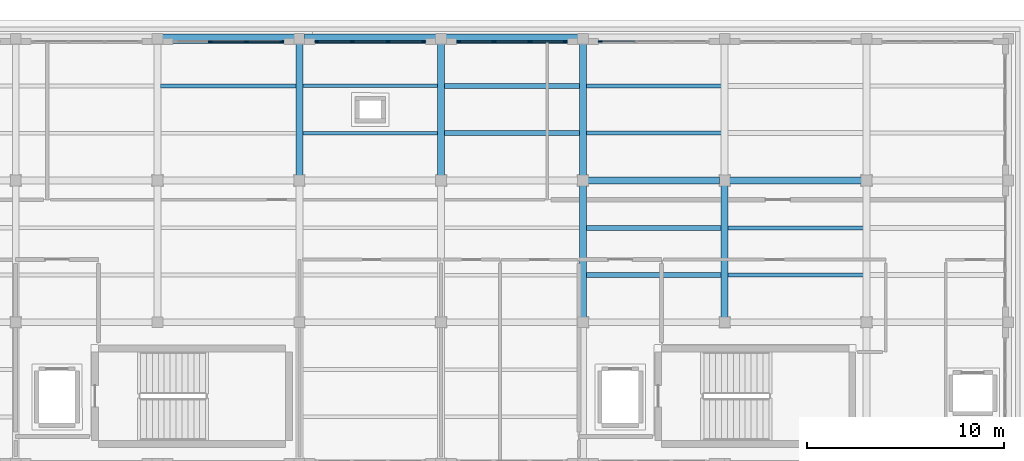
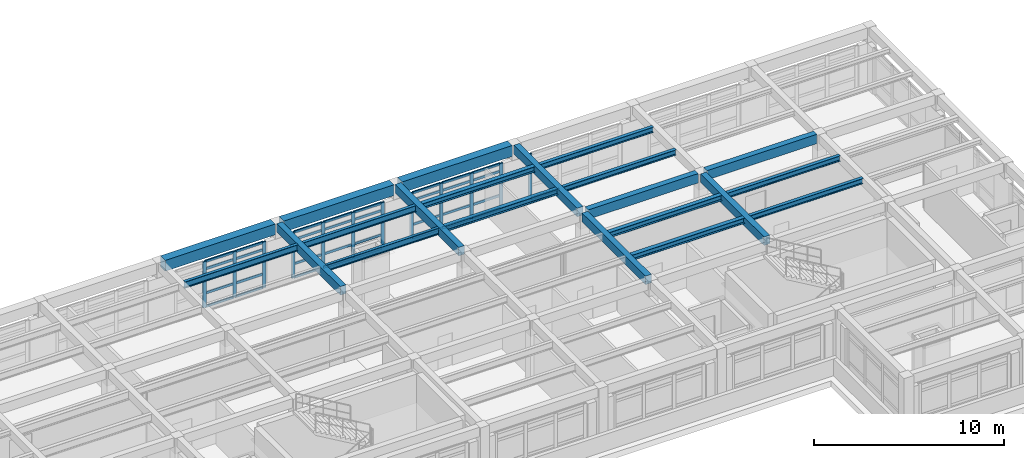
# One storey, part 7 of 21: 45 members, 21 beams, 4 elements without a shape of their own.
"""IFC4 building model written with IfcOpenShell, lengths in metres."""

import ifcopenshell
import ifcopenshell.guid

model = None  # the IFC model being written
_history = None  # IfcOwnerHistory: only IFC2X3 demands one
_inside = {}  # id of a spatial element -> (the spatial element, [elements in it])
_under = {}  # id of a project, library or spatial element -> (it, [spatial elements below it])
_declared = {}  # id of a project -> (the project, [libraries it declares])
_typed = {}  # id of a type object -> (the type object, [elements of that type])
_made_of = {}  # id of a material, layer set ... -> (it, [elements and type objects made of it])


def new_model(schema):
    """Start an empty IFC model of exactly this schema.

    Asked for "IFC4X3", IfcOpenShell would pick the latest addendum, in which some entities
    have other attributes; the version numbers below select the first issue.
    IFC2X3 requires an IfcOwnerHistory on every rooted entity: one is made here for all.
    """
    global model, _history
    if schema == "IFC4X3":
        model = ifcopenshell.file(schema_version=(4, 3, 0, 0))
    else:
        model = ifcopenshell.file(schema=schema)
    _inside.clear()
    _under.clear()
    _declared.clear()
    _typed.clear()
    _made_of.clear()
    _history = None
    if model.schema == "IFC2X3":
        org = make("IfcOrganization", Name="unknown")
        user = make(
            "IfcPersonAndOrganization",
            ThePerson=make("IfcPerson", FamilyName="unknown"),
            TheOrganization=org,
        )
        app = make(
            "IfcApplication",
            ApplicationDeveloper=org,
            Version="unknown",
            ApplicationFullName="unknown",
            ApplicationIdentifier="unknown",
        )
        _history = make(
            "IfcOwnerHistory",
            OwningUser=user,
            OwningApplication=app,
            ChangeAction="ADDED",
            CreationDate=0,
        )
    return model


def make(cls, **values):
    """One entity of the class cls with the attributes given. An attribute that is None is left unset."""
    return model.create_entity(
        cls, **{name: value for name, value in values.items() if value is not None}
    )


def rooted(cls, **values):
    """An entity with a GlobalId (a new one), such as an element, a storey or a relation."""
    return make(cls, GlobalId=ifcopenshell.guid.new(), OwnerHistory=_history, **values)


def si_unit(unit_type, name, prefix=None):
    """IfcSIUnit, for example si_unit("LENGTHUNIT", "METRE", prefix="MILLI")."""
    return make("IfcSIUnit", UnitType=unit_type, Prefix=prefix, Name=name)


def assignment(units):
    """IfcUnitAssignment: the units of a project."""
    return None if units is None else make("IfcUnitAssignment", Units=units)


def point(xyz):
    """IfcCartesianPoint."""
    return None if xyz is None else make("IfcCartesianPoint", Coordinates=xyz)


def direction(xyz):
    """IfcDirection."""
    return None if xyz is None else make("IfcDirection", DirectionRatios=xyz)


def frame(location, z_axis=None, x_axis=None):
    """IfcAxis2Placement3D, a coordinate frame: its origin and axes. An axis left out is left unset."""
    return make(
        "IfcAxis2Placement3D",
        Location=point(location),
        Axis=direction(z_axis),
        RefDirection=direction(x_axis),
    )


def frame_2d(location, x_axis=None):
    """IfcAxis2Placement2D, a coordinate frame in the plane: its origin and x axis."""
    return make(
        "IfcAxis2Placement2D", Location=point(location), RefDirection=direction(x_axis)
    )


def origin():
    """The frame at (0, 0, 0) with its axes left unset."""
    return frame((0.0, 0.0, 0.0))


def origin_2d():
    """The frame at (0, 0) in the plane with its x axis left unset."""
    return frame_2d((0.0, 0.0))


def place(relative_to, where):
    """IfcLocalPlacement: puts the frame where relative to a parent placement (None: the world)."""
    return make(
        "IfcLocalPlacement", PlacementRelTo=relative_to, RelativePlacement=where
    )


def context(
    kind, dimensions, precision=None, world=None, true_north=None, identifier=None
):
    """IfcGeometricRepresentationContext, for example the 3D "Model" context."""
    return make(
        "IfcGeometricRepresentationContext",
        ContextIdentifier=identifier,
        ContextType=kind,
        CoordinateSpaceDimension=dimensions,
        Precision=precision,
        WorldCoordinateSystem=world,
        TrueNorth=true_north,
    )


def subcontext(parent, identifier, kind, view, scale=None):
    """IfcGeometricRepresentationSubContext, for example "Body" below "Model"."""
    return make(
        "IfcGeometricRepresentationSubContext",
        ContextIdentifier=identifier,
        ContextType=kind,
        ParentContext=parent,
        TargetScale=scale,
        TargetView=view,
    )


def project(units=None, contexts=None):
    """IfcProject with its units and contexts."""
    return rooted(
        "IfcProject",
        Name="project",
        RepresentationContexts=contexts,
        UnitsInContext=assignment(units),
    )


def spatial(cls, under=None, at=None, **own):
    """A site, building, storey or space (cls), placed at a placement, below another one or the project."""
    s = rooted(cls, ObjectPlacement=at, **own)
    if under is not None:
        _under.setdefault(under.id(), (under, []))[1].append(s)
    return s


def profile(cls, at=None, kind="AREA", **sizes):
    """A parametric profile (cls). Its sizes go by their IFC names, for example OverallWidth=200.0."""
    return make(cls, ProfileType=kind, Position=at, **sizes)


def rectangle(**sizes):
    """IfcRectangleProfileDef."""
    return profile("IfcRectangleProfileDef", **sizes)


def i_section(**sizes):
    """IfcIShapeProfileDef."""
    return profile("IfcIShapeProfileDef", **sizes)


def extrude(swept, where, along, depth):
    """IfcExtrudedAreaSolid: the profile swept, set in the frame where, extruded along a direction by depth."""
    return make(
        "IfcExtrudedAreaSolid",
        SweptArea=swept,
        Position=where,
        ExtrudedDirection=direction(along),
        Depth=depth,
    )


def shape(context_of_items, identifier, shape_type, items):
    """IfcShapeRepresentation: the items that make up one representation, for example the "Body"."""
    return make(
        "IfcShapeRepresentation",
        ContextOfItems=context_of_items,
        RepresentationIdentifier=identifier,
        RepresentationType=shape_type,
        Items=items,
    )


def material(Name=None, Category=None):
    """IfcMaterial."""
    return make("IfcMaterial", Name=Name, Category=Category)


def layer(
    of_material, thickness, ventilated=None, Name=None, Category=None, Priority=None
):
    """IfcMaterialLayer: one layer of a wall or slab, of a material (None: an air gap)."""
    return make(
        "IfcMaterialLayer",
        Material=of_material,
        LayerThickness=thickness,
        IsVentilated=ventilated,
        Name=Name,
        Category=Category,
        Priority=Priority,
    )


def layer_set(layers, Name=None):
    """IfcMaterialLayerSet."""
    return make("IfcMaterialLayerSet", MaterialLayers=layers, LayerSetName=Name)


def material_profile(
    of_material, cross_section, Name=None, Category=None, Priority=None
):
    """IfcMaterialProfile: a cross section and its material."""
    return make(
        "IfcMaterialProfile",
        Name=Name,
        Material=of_material,
        Profile=cross_section,
        Priority=Priority,
        Category=Category,
    )


def profile_set(profiles, Name=None, composite=None):
    """IfcMaterialProfileSet."""
    return make(
        "IfcMaterialProfileSet",
        Name=Name,
        MaterialProfiles=profiles,
        CompositeProfile=composite,
    )


def made_of(thing, what):
    """Note that an element or type object is made of a material, layer set ...; save() writes the relation."""
    if what is not None:
        _made_of.setdefault(what.id(), (what, []))[1].append(thing)
    return thing


def type_object(cls, material=None, **own):
    """A type object (cls), such as IfcWallType, which elements share."""
    return made_of(rooted(cls, **own), material)


def element(
    cls,
    number,
    at=None,
    inside=None,
    cuts=None,
    type_object=None,
    material=None,
    context=None,
    identifier="Body",
    shape_type=None,
    held_by="IfcProductDefinitionShape",
    body=None,
    shapes=None,
    **own,
):
    """One element of the class cls, such as IfcWall. Its Tag is "e" and its number.

    at: its placement. inside: the storey or other place that contains it. cuts: it is an
    opening in that element (IfcRelVoidsElement). A single representation is given by context,
    identifier, shape_type and body (its items); several are given by shapes. held_by: the class
    of the entity that holds the representations. save() writes the other relations.
    """
    e = rooted(cls, Tag="e%d" % number, ObjectPlacement=at, **own)
    if body is not None:
        shapes = [shape(context, identifier, shape_type, body)]
    if shapes is not None:
        e.Representation = make(held_by, Representations=shapes)
    if inside is not None:
        _inside.setdefault(inside.id(), (inside, []))[1].append(e)
    if cuts is not None:
        rooted(
            "IfcRelVoidsElement", RelatingBuildingElement=cuts, RelatedOpeningElement=e
        )
    if type_object is not None:
        _typed.setdefault(type_object.id(), (type_object, []))[1].append(e)
    return made_of(e, material)


def aggregate(whole, parts):
    """IfcRelAggregates: a whole, such as a stair, and the parts it consists of."""
    return rooted("IfcRelAggregates", RelatingObject=whole, RelatedObjects=parts)


def save(model, path):
    """Write the relations noted so far, then the file.

    IfcRelAggregates (storeys below a building ...), IfcRelContainedInSpatialStructure (elements
    in a storey), IfcRelDefinesByType, IfcRelAssociatesMaterial and IfcRelDeclares: one each for
    every whole, place, type object, material and project.
    """
    for whole, parts in _under.values():
        aggregate(whole, parts)
    for where, things in _inside.values():
        rooted(
            "IfcRelContainedInSpatialStructure",
            RelatedElements=things,
            RelatingStructure=where,
        )
    for kind, things in _typed.values():
        rooted("IfcRelDefinesByType", RelatedObjects=things, RelatingType=kind)
    for what, things in _made_of.values():
        rooted("IfcRelAssociatesMaterial", RelatedObjects=things, RelatingMaterial=what)
    for by, libraries in _declared.values():
        rooted("IfcRelDeclares", RelatingContext=by, RelatedDefinitions=libraries)
    model.write(path)


model = new_model("IFC4")

# Units and contexts
model_context = context("Model", 3, precision=1e-05, world=origin(), true_north=direction((0.0, 1.0)))
body_context = subcontext(model_context, "Body", "Model", "MODEL_VIEW")
ifc_project = project(units=[si_unit("LENGTHUNIT", "METRE"), si_unit("AREAUNIT", "SQUARE_METRE"), si_unit("VOLUMEUNIT", "CUBIC_METRE"), si_unit("PLANEANGLEUNIT", "RADIAN"), si_unit("MASSUNIT", "GRAM", prefix="KILO")], contexts=[model_context])

# Site, building, storey
site_placement = place(None, origin())
site = spatial("IfcSite", under=ifc_project, at=site_placement, CompositionType="ELEMENT")
building_placement = place(site_placement, origin())
building = spatial("IfcBuilding", under=site, at=building_placement, Name="Solenvale Faculty of Natural Sciences", CompositionType="ELEMENT")
storey_placement = place(building_placement, frame((0.0, 0.0, 31.199951171875)))
storey = spatial("IfcBuildingStorey", under=building, at=storey_placement, Name="L07", CompositionType="ELEMENT", Elevation=31.199951171875)

# Beams
ifc_material_1 = material(Name="Concrete 40 MPa", Category="concrete")
ifc_material_profile_1 = material_profile(ifc_material_1, rectangle(XDim=0.35009765625, YDim=0.550048828125, at=origin_2d()), Name="RC-BM-350x550")
ifc_profile_set_1 = profile_set([ifc_material_profile_1], Name="Concrete 40 MPa")
beam_type_1 = type_object("IfcBeamType", Name="BM-RC-350x550", PredefinedType="BEAM", material=ifc_profile_set_1)
for number, where, z_axis, x_axis, name in (
    (1, (115.199951171875, 108.2548828125, 3.64501953125), (0.0, 1.0, 0.0), (-1.0, 0.0, 0.0), "L07 Y-Girder X115.2 (108.0..115.2)"),
    (2, (122.39990234375, 108.2548828125, 3.64501953125), (0.0, 1.0, 0.0), (-1.0, 0.0, 0.0), "L07 Y-Girder X122.4 (108.0..115.2)"),
    (3, (129.60009765625, 101.054931640625, 3.64501953125), (0.0, 1.0, 0.0), (-1.0, 0.0, 0.0), "L07 Y-Girder X129.6 (100.8..108.0)"),
    (4, (129.60009765625, 108.2548828125, 3.64501953125), (0.0, 1.0, 0.0), (-1.0, 0.0, 0.0), "L07 Y-Girder X129.6 (108.0..115.2)"),
    (5, (136.800048828125, 101.054931640625, 3.64501953125), (0.0, 1.0, 0.0), (-1.0, 0.0, 0.0), "L07 Y-Girder X136.8 (100.8..108.0)"),
):
    element("IfcBeam", number, at=place(storey_placement, frame(where, z_axis=z_axis, x_axis=x_axis)), inside=storey, type_object=beam_type_1, Name=name, PredefinedType="BEAM", context=body_context, shape_type="SweptSolid", body=[
        extrude(rectangle(XDim=0.35009765625, YDim=0.550048828125, at=origin_2d()), origin(), (0.0, 0.0, 1.0), 6.690185546875),
    ])
ifc_material_profile_2 = material_profile(ifc_material_1, rectangle(XDim=0.35009765625, YDim=0.60009765625, at=origin_2d()), Name="RC-BM-350x600")
ifc_profile_set_2 = profile_set([ifc_material_profile_2], Name="Concrete 40 MPa")
beam_type_2 = type_object("IfcBeamType", Name="BM-RC-350x600", PredefinedType="BEAM", material=ifc_profile_set_2)
beam_1_placement = place(storey_placement, frame((129.85498046875, 108.0, 3.6201171875), z_axis=(1.0, 0.0, 0.0), x_axis=(0.0, 1.0, 0.0)))
element("IfcBeam", 6, at=beam_1_placement, inside=storey, type_object=beam_type_2, Name="L07 X-Girder Y108.0 (129.6..136.8)", PredefinedType="BEAM", context=body_context, shape_type="SweptSolid", body=[
    extrude(rectangle(XDim=0.35009765625, YDim=0.60009765625, at=origin_2d()), origin(), (0.0, 0.0, 1.0), 6.68994140625),
])
beam_2_placement = place(storey_placement, frame((137.054931640625, 108.0, 3.6201171875), z_axis=(1.0, 0.0, 0.0), x_axis=(0.0, 1.0, 0.0)))
element("IfcBeam", 7, at=beam_2_placement, inside=storey, type_object=beam_type_2, Name="L07 X-Girder Y108.0 (136.8..144.0)", PredefinedType="BEAM", context=body_context, shape_type="SweptSolid", body=[
    extrude(rectangle(XDim=0.35009765625, YDim=0.60009765625, at=origin_2d()), origin(), (0.0, 0.0, 1.0), 6.690185546875),
])
ifc_material_2 = material(Name="Precast concrete 40 MPa", Category="concrete")
ifc_material_profile_3 = material_profile(ifc_material_2, rectangle(XDim=0.5, YDim=0.699951171875, at=origin_2d()), Name="RC-BM-500x700")
ifc_profile_set_3 = profile_set([ifc_material_profile_3], Name="Precast concrete 40 MPa")
beam_type_3 = type_object("IfcBeamType", Name="BM-SPN-PRC-700", PredefinedType="SPANDREL", material=ifc_profile_set_3)
beam_3_placement = place(storey_placement, frame((108.2548828125, 115.199951171875, 3.570068359375), z_axis=(1.0, 0.0, 0.0), x_axis=(0.0, 1.0, 0.0)))
element("IfcBeam", 8, at=beam_3_placement, inside=storey, type_object=beam_type_3, Name="L07 X-Girder Y115.2 (108.0..115.2)", PredefinedType="SPANDREL", context=body_context, shape_type="SweptSolid", body=[
    extrude(rectangle(XDim=0.5, YDim=0.699951171875, at=origin_2d()), origin(), (0.0, 0.0, 1.0), 6.690185546875),
])
for number, where, z_axis, x_axis, name in (
    (9, (115.455078125, 115.199951171875, 3.570068359375), (1.0, 0.0, 0.0), (0.0, 1.0, 0.0), "L07 X-Girder Y115.2 (115.2..122.4)"),
    (10, (122.655029296875, 115.199951171875, 3.570068359375), (1.0, 0.0, 0.0), (0.0, 1.0, 0.0), "L07 X-Girder Y115.2 (122.4..129.6)"),
):
    element("IfcBeam", number, at=place(storey_placement, frame(where, z_axis=z_axis, x_axis=x_axis)), inside=storey, type_object=beam_type_3, Name=name, PredefinedType="SPANDREL", context=body_context, shape_type="SweptSolid", body=[
        extrude(rectangle(XDim=0.5, YDim=0.699951171875, at=origin_2d()), origin(), (0.0, 0.0, 1.0), 6.68994140625),
    ])
ifc_material_3 = material(Name="Steel S355", Category="steel")
ifc_material_profile_4 = material_profile(ifc_material_3, i_section(OverallWidth=0.2548828125, OverallDepth=0.35693359375, WebThickness=0.010498046875, FlangeThickness=0.018310546875, FilletRadius=0.014892578125, at=origin_2d()), Name="W360x101")
ifc_profile_set_4 = profile_set([ifc_material_profile_4], Name="Steel S355")
beam_type_4 = type_object("IfcBeamType", Name="BM-STL-W360x101", PredefinedType="JOIST", material=ifc_profile_set_4)
for number, where, z_axis, x_axis, name in (
    (11, (122.554931640625, 110.39990234375, 3.741455078125), (1.0, 0.0, 0.0), (0.0, 1.0, 0.0), "L07 Composite Floor Joist (18,16).1"),
    (12, (122.554931640625, 112.800048828125, 3.741455078125), (1.0, 0.0, 0.0), (0.0, 1.0, 0.0), "L07 Composite Floor Joist (18,16).2"),
    (13, (129.7548828125, 103.199951171875, 3.741455078125), (1.0, 0.0, 0.0), (0.0, 1.0, 0.0), "L07 Composite Floor Joist (19,15).1"),
    (14, (129.7548828125, 105.60009765625, 3.741455078125), (1.0, 0.0, 0.0), (0.0, 1.0, 0.0), "L07 Composite Floor Joist (19,15).2"),
):
    element("IfcBeam", number, at=place(storey_placement, frame(where, z_axis=z_axis, x_axis=x_axis)), inside=storey, type_object=beam_type_4, Name=name, PredefinedType="JOIST", context=body_context, shape_type="SweptSolid", body=[
        extrude(i_section(OverallWidth=0.2548828125, OverallDepth=0.35693359375, WebThickness=0.010498046875, FlangeThickness=0.018310546875, FilletRadius=0.014892578125, at=origin_2d()), origin(), (0.0, 0.0, 1.0), 6.89013671875),
    ])
ifc_material_profile_5 = material_profile(ifc_material_3, i_section(OverallWidth=0.2041015625, OverallDepth=0.35009765625, WebThickness=0.008544921875, FlangeThickness=0.01513671875, FilletRadius=0.014892578125, at=origin_2d()), Name="W360x72")
ifc_profile_set_5 = profile_set([ifc_material_profile_5], Name="Steel S355")
beam_type_5 = type_object("IfcBeamType", Name="BM-STL-W360x72", PredefinedType="JOIST", material=ifc_profile_set_5)
for number, where, z_axis, x_axis, name in (
    (15, (129.7548828125, 110.39990234375, 3.7451171875), (1.0, 0.0, 0.0), (0.0, 1.0, 0.0), "L07 Composite Floor Joist (19,16).1"),
    (16, (129.7548828125, 112.800048828125, 3.7451171875), (1.0, 0.0, 0.0), (0.0, 1.0, 0.0), "L07 Composite Floor Joist (19,16).2"),
):
    element("IfcBeam", number, at=place(storey_placement, frame(where, z_axis=z_axis, x_axis=x_axis)), inside=storey, type_object=beam_type_5, Name=name, PredefinedType="JOIST", context=body_context, shape_type="SweptSolid", body=[
        extrude(i_section(OverallWidth=0.2041015625, OverallDepth=0.35009765625, WebThickness=0.008544921875, FlangeThickness=0.01513671875, FilletRadius=0.014892578125, at=origin_2d()), origin(), (0.0, 0.0, 1.0), 6.89013671875),
    ])
for number, where, z_axis, x_axis, name in (
    (17, (136.955078125, 103.199951171875, 3.7451171875), (1.0, 0.0, 0.0), (0.0, 1.0, 0.0), "L07 Composite Floor Joist (20,15).1"),
    (18, (136.955078125, 105.60009765625, 3.7451171875), (1.0, 0.0, 0.0), (0.0, 1.0, 0.0), "L07 Composite Floor Joist (20,15).2"),
):
    element("IfcBeam", number, at=place(storey_placement, frame(where, z_axis=z_axis, x_axis=x_axis)), inside=storey, type_object=beam_type_5, Name=name, PredefinedType="JOIST", context=body_context, shape_type="SweptSolid", body=[
        extrude(i_section(OverallWidth=0.2041015625, OverallDepth=0.35009765625, WebThickness=0.008544921875, FlangeThickness=0.01513671875, FilletRadius=0.014892578125, at=origin_2d()), origin(), (0.0, 0.0, 1.0), 6.889892578125),
    ])
ifc_material_profile_6 = material_profile(ifc_material_3, i_section(OverallWidth=0.178955078125, OverallDepth=0.409912109375, WebThickness=0.0087890625, FlangeThickness=0.014404296875, FilletRadius=0.01611328125, at=origin_2d()), Name="W410x67")
ifc_profile_set_6 = profile_set([ifc_material_profile_6], Name="Steel S355")
beam_type_6 = type_object("IfcBeamType", Name="BM-STL-W410x67", PredefinedType="JOIST", material=ifc_profile_set_6)
for number, where, z_axis, x_axis, name in (
    (19, (115.35498046875, 110.39990234375, 3.715087890625), (1.0, 0.0, 0.0), (0.0, 1.0, 0.0), "L07 Composite Floor Joist (17,16).1"),
    (20, (115.35498046875, 112.800048828125, 3.715087890625), (1.0, 0.0, 0.0), (0.0, 1.0, 0.0), "L07 Composite Floor Joist (17,16).2"),
):
    element("IfcBeam", number, at=place(storey_placement, frame(where, z_axis=z_axis, x_axis=x_axis)), inside=storey, type_object=beam_type_6, Name=name, PredefinedType="JOIST", context=body_context, shape_type="SweptSolid", body=[
        extrude(i_section(OverallWidth=0.178955078125, OverallDepth=0.409912109375, WebThickness=0.0087890625, FlangeThickness=0.014404296875, FilletRadius=0.01611328125, at=origin_2d()), origin(), (0.0, 0.0, 1.0), 6.89013671875),
    ])
ifc_material_profile_7 = material_profile(ifc_material_3, i_section(OverallWidth=0.180908203125, OverallDepth=0.4169921875, WebThickness=0.010986328125, FlangeThickness=0.018310546875, FilletRadius=0.01611328125, at=origin_2d()), Name="W410x85")
ifc_profile_set_7 = profile_set([ifc_material_profile_7], Name="Steel S355")
beam_type_7 = type_object("IfcBeamType", Name="BM-STL-W410x85", PredefinedType="JOIST", material=ifc_profile_set_7)
beam_4_placement = place(storey_placement, frame((108.155029296875, 112.800048828125, 3.711669921875), z_axis=(1.0, 0.0, 0.0), x_axis=(0.0, 1.0, 0.0)))
element("IfcBeam", 21, at=beam_4_placement, inside=storey, type_object=beam_type_7, Name="L07 Composite Floor Joist (16,16).2", PredefinedType="JOIST", context=body_context, shape_type="SweptSolid", body=[
    extrude(i_section(OverallWidth=0.180908203125, OverallDepth=0.4169921875, WebThickness=0.010986328125, FlangeThickness=0.018310546875, FilletRadius=0.01611328125, at=origin_2d()), origin(), (0.0, 0.0, 1.0), 6.889892578125),
])

# Curtain wall, member
ifc_material_4 = material(Name="Anodised bronze aluminium", Category="aluminium")
ifc_layer = layer(ifc_material_4, 0.179931640625)
ifc_layer_set = layer_set([ifc_layer], Name="Anodised bronze aluminium")
curtain_wall_type = type_object("IfcCurtainWallType", Name="CW-TWR-MOD", PredefinedType="USERDEFINED", material=ifc_layer_set)
curtain_wall_1_placement = place(storey_placement, origin())
curtain_wall_1 = element("IfcCurtainWall", 22, at=curtain_wall_1_placement, inside=storey, type_object=curtain_wall_type, Name="L07 Curtain Wall CW-L07-P1-E2-B3", ObjectType="UNITISED CURTAIN WALL", PredefinedType="USERDEFINED")
ifc_material_profile_8 = material_profile(ifc_material_4, rectangle(XDim=0.074951171875, YDim=0.2099609375, at=origin_2d()), Name="ALU-MUL-75x210")
ifc_profile_set_8 = profile_set([ifc_material_profile_8], Name="Anodised bronze aluminium")
member_type_1 = type_object("IfcMemberType", Name="CWM-ALU-75x210", PredefinedType="MULLION", material=ifc_profile_set_8)
member_1_placement = place(storey_placement, frame((130.487548828125, 115.0576171875, 0.0), z_axis=(0.0, 0.0, 1.0), x_axis=(0.0, -1.0, 0.0)))
member_1 = element("IfcMember", 23, at=member_1_placement, type_object=member_type_1, Name="CW-04 mullion 4", PredefinedType="MULLION", context=body_context, shape_type="SweptSolid", body=[
    extrude(rectangle(XDim=0.074951171875, YDim=0.2099609375, at=origin_2d()), origin(), (0.0, 0.0, 1.0), 2.9599609375),
])

# Curtain wall, members
curtain_wall_2_placement = place(storey_placement, origin())
curtain_wall_2 = element("IfcCurtainWall", 24, at=curtain_wall_2_placement, inside=storey, type_object=curtain_wall_type, Name="L07 Curtain Wall CW-L07-P1-E2-B4", ObjectType="UNITISED CURTAIN WALL", PredefinedType="USERDEFINED")
member_2_placement = place(storey_placement, frame((128.71240234375, 115.0576171875, 0.0), z_axis=(0.0, 0.0, 1.0), x_axis=(0.0, -1.0, 0.0)))
member_2 = element("IfcMember", 25, at=member_2_placement, type_object=member_type_1, Name="CW-04 mullion 1", PredefinedType="MULLION", context=body_context, shape_type="SweptSolid", body=[
    extrude(rectangle(XDim=0.074951171875, YDim=0.2099609375, at=origin_2d()), origin(), (0.0, 0.0, 1.0), 2.9599609375),
])
member_3_placement = place(storey_placement, frame((126.916748046875, 115.0576171875, 0.0), z_axis=(0.0, 0.0, 1.0), x_axis=(0.0, -1.0, 0.0)))
member_3 = element("IfcMember", 26, at=member_3_placement, type_object=member_type_1, Name="CW-04 mullion 2", PredefinedType="MULLION", context=body_context, shape_type="SweptSolid", body=[
    extrude(rectangle(XDim=0.074951171875, YDim=0.2099609375, at=origin_2d()), origin(), (0.0, 0.0, 1.0), 2.9599609375),
])
member_4_placement = place(storey_placement, frame((125.083251953125, 115.0576171875, 0.0), z_axis=(0.0, 0.0, 1.0), x_axis=(0.0, -1.0, 0.0)))
member_4 = element("IfcMember", 27, at=member_4_placement, type_object=member_type_1, Name="CW-04 mullion 3", PredefinedType="MULLION", context=body_context, shape_type="SweptSolid", body=[
    extrude(rectangle(XDim=0.074951171875, YDim=0.2099609375, at=origin_2d()), origin(), (0.0, 0.0, 1.0), 2.9599609375),
])
member_5_placement = place(storey_placement, frame((123.28759765625, 115.0576171875, 0.0), z_axis=(0.0, 0.0, 1.0), x_axis=(0.0, -1.0, 0.0)))
member_5 = element("IfcMember", 28, at=member_5_placement, type_object=member_type_1, Name="CW-04 mullion 4", PredefinedType="MULLION", context=body_context, shape_type="SweptSolid", body=[
    extrude(rectangle(XDim=0.074951171875, YDim=0.2099609375, at=origin_2d()), origin(), (0.0, 0.0, 1.0), 2.9599609375),
])

curtain_wall_3_placement = place(storey_placement, origin())
curtain_wall_3 = element("IfcCurtainWall", 29, at=curtain_wall_3_placement, inside=storey, type_object=curtain_wall_type, Name="L07 Curtain Wall CW-L07-P1-E2-B5", ObjectType="UNITISED CURTAIN WALL", PredefinedType="USERDEFINED")
member_6_placement = place(storey_placement, frame((121.512451171875, 115.0576171875, 0.0), z_axis=(0.0, 0.0, 1.0), x_axis=(0.0, -1.0, 0.0)))
member_6 = element("IfcMember", 30, at=member_6_placement, type_object=member_type_1, Name="CW-04 mullion 1", PredefinedType="MULLION", context=body_context, shape_type="SweptSolid", body=[
    extrude(rectangle(XDim=0.074951171875, YDim=0.2099609375, at=origin_2d()), origin(), (0.0, 0.0, 1.0), 2.9599609375),
])
member_7_placement = place(storey_placement, frame((119.716552734375, 115.0576171875, 0.0), z_axis=(0.0, 0.0, 1.0), x_axis=(0.0, -1.0, 0.0)))
member_7 = element("IfcMember", 31, at=member_7_placement, type_object=member_type_1, Name="CW-04 mullion 2", PredefinedType="MULLION", context=body_context, shape_type="SweptSolid", body=[
    extrude(rectangle(XDim=0.074951171875, YDim=0.2099609375, at=origin_2d()), origin(), (0.0, 0.0, 1.0), 2.9599609375),
])
member_8_placement = place(storey_placement, frame((117.88330078125, 115.0576171875, 0.0), z_axis=(0.0, 0.0, 1.0), x_axis=(0.0, -1.0, 0.0)))
member_8 = element("IfcMember", 32, at=member_8_placement, type_object=member_type_1, Name="CW-04 mullion 3", PredefinedType="MULLION", context=body_context, shape_type="SweptSolid", body=[
    extrude(rectangle(XDim=0.074951171875, YDim=0.2099609375, at=origin_2d()), origin(), (0.0, 0.0, 1.0), 2.9599609375),
])
member_9_placement = place(storey_placement, frame((116.08740234375, 115.0576171875, 0.0), z_axis=(0.0, 0.0, 1.0), x_axis=(0.0, -1.0, 0.0)))
member_9 = element("IfcMember", 33, at=member_9_placement, type_object=member_type_1, Name="CW-04 mullion 4", PredefinedType="MULLION", context=body_context, shape_type="SweptSolid", body=[
    extrude(rectangle(XDim=0.074951171875, YDim=0.2099609375, at=origin_2d()), origin(), (0.0, 0.0, 1.0), 2.9599609375),
])

curtain_wall_4_placement = place(storey_placement, origin())
curtain_wall_4 = element("IfcCurtainWall", 34, at=curtain_wall_4_placement, inside=storey, type_object=curtain_wall_type, Name="L07 Curtain Wall CW-L07-P1-E2-B6", ObjectType="UNITISED CURTAIN WALL", PredefinedType="USERDEFINED")
member_10_placement = place(storey_placement, frame((114.3125, 115.0576171875, 0.0), z_axis=(0.0, 0.0, 1.0), x_axis=(0.0, -1.0, 0.0)))
member_10 = element("IfcMember", 35, at=member_10_placement, type_object=member_type_1, Name="CW-04 mullion 1", PredefinedType="MULLION", context=body_context, shape_type="SweptSolid", body=[
    extrude(rectangle(XDim=0.074951171875, YDim=0.2099609375, at=origin_2d()), origin(), (0.0, 0.0, 1.0), 2.9599609375),
])
member_11_placement = place(storey_placement, frame((112.5166015625, 115.0576171875, 0.0), z_axis=(0.0, 0.0, 1.0), x_axis=(0.0, -1.0, 0.0)))
member_11 = element("IfcMember", 36, at=member_11_placement, type_object=member_type_1, Name="CW-04 mullion 2", PredefinedType="MULLION", context=body_context, shape_type="SweptSolid", body=[
    extrude(rectangle(XDim=0.074951171875, YDim=0.2099609375, at=origin_2d()), origin(), (0.0, 0.0, 1.0), 2.9599609375),
])
member_12_placement = place(storey_placement, frame((110.683349609375, 115.0576171875, 0.0), z_axis=(0.0, 0.0, 1.0), x_axis=(0.0, -1.0, 0.0)))
member_12 = element("IfcMember", 37, at=member_12_placement, type_object=member_type_1, Name="CW-04 mullion 3", PredefinedType="MULLION", context=body_context, shape_type="SweptSolid", body=[
    extrude(rectangle(XDim=0.074951171875, YDim=0.2099609375, at=origin_2d()), origin(), (0.0, 0.0, 1.0), 2.9599609375),
])

# Member
ifc_material_profile_9 = material_profile(ifc_material_4, rectangle(XDim=0.074951171875, YDim=0.155029296875, at=origin_2d()), Name="ALU-TRN-75x155")
ifc_profile_set_9 = profile_set([ifc_material_profile_9], Name="Anodised bronze aluminium")
member_type_2 = type_object("IfcMemberType", Name="CWT-ALU-75x155", PredefinedType="USERDEFINED", material=ifc_profile_set_9)
member_13_placement = place(storey_placement, frame((132.245849609375, 115.0576171875, 0.03759765625), z_axis=(-1.0, 0.0, 0.0), x_axis=(0.0, -1.0, 0.0)))
member_13 = element("IfcMember", 38, at=member_13_placement, type_object=member_type_2, Name="CW-04 transom 3.1", ObjectType="TRANSOM", PredefinedType="USERDEFINED", context=body_context, shape_type="SweptSolid", body=[
    extrude(rectangle(XDim=0.074951171875, YDim=0.155029296875, at=origin_2d()), origin(), (0.0, 0.0, 1.0), 1.720947265625),
])

aggregate(curtain_wall_1, [member_1, member_13])

member_14_placement = place(storey_placement, frame((128.675048828125, 115.0576171875, 0.03759765625), z_axis=(-1.0, 0.0, 0.0), x_axis=(0.0, -1.0, 0.0)))
member_14 = element("IfcMember", 39, at=member_14_placement, type_object=member_type_2, Name="CW-04 transom 1.1", ObjectType="TRANSOM", PredefinedType="USERDEFINED", context=body_context, shape_type="SweptSolid", body=[
    extrude(rectangle(XDim=0.074951171875, YDim=0.155029296875, at=origin_2d()), origin(), (0.0, 0.0, 1.0), 1.720947265625),
])

member_15_placement = place(storey_placement, frame((128.675048828125, 115.0576171875, 0.900146484375), z_axis=(-1.0, 0.0, 0.0), x_axis=(0.0, -1.0, 0.0)))
member_15 = element("IfcMember", 40, at=member_15_placement, type_object=member_type_2, Name="CW-04 transom 1.2", ObjectType="TRANSOM", PredefinedType="USERDEFINED", context=body_context, shape_type="SweptSolid", body=[
    extrude(rectangle(XDim=0.074951171875, YDim=0.155029296875, at=origin_2d()), origin(), (0.0, 0.0, 1.0), 1.720947265625),
])

member_16_placement = place(storey_placement, frame((128.675048828125, 115.0576171875, 2.4599609375), z_axis=(-1.0, 0.0, 0.0), x_axis=(0.0, -1.0, 0.0)))
member_16 = element("IfcMember", 41, at=member_16_placement, type_object=member_type_2, Name="CW-04 transom 1.3", ObjectType="TRANSOM", PredefinedType="USERDEFINED", context=body_context, shape_type="SweptSolid", body=[
    extrude(rectangle(XDim=0.074951171875, YDim=0.155029296875, at=origin_2d()), origin(), (0.0, 0.0, 1.0), 1.720947265625),
])

member_17_placement = place(storey_placement, frame((128.675048828125, 115.0576171875, 2.922607421875), z_axis=(-1.0, 0.0, 0.0), x_axis=(0.0, -1.0, 0.0)))
member_17 = element("IfcMember", 42, at=member_17_placement, type_object=member_type_2, Name="CW-04 transom 1.4", ObjectType="TRANSOM", PredefinedType="USERDEFINED", context=body_context, shape_type="SweptSolid", body=[
    extrude(rectangle(XDim=0.074951171875, YDim=0.155029296875, at=origin_2d()), origin(), (0.0, 0.0, 1.0), 1.720947265625),
])

member_18_placement = place(storey_placement, frame((126.879150390625, 115.0576171875, 0.03759765625), z_axis=(-1.0, 0.0, 0.0), x_axis=(0.0, -1.0, 0.0)))
member_18 = element("IfcMember", 43, at=member_18_placement, type_object=member_type_2, Name="CW-04 transom 2.1", ObjectType="TRANSOM", PredefinedType="USERDEFINED", context=body_context, shape_type="SweptSolid", body=[
    extrude(rectangle(XDim=0.074951171875, YDim=0.155029296875, at=origin_2d()), origin(), (0.0, 0.0, 1.0), 1.75830078125),
])

member_19_placement = place(storey_placement, frame((126.879150390625, 115.0576171875, 0.900146484375), z_axis=(-1.0, 0.0, 0.0), x_axis=(0.0, -1.0, 0.0)))
member_19 = element("IfcMember", 44, at=member_19_placement, type_object=member_type_2, Name="CW-04 transom 2.2", ObjectType="TRANSOM", PredefinedType="USERDEFINED", context=body_context, shape_type="SweptSolid", body=[
    extrude(rectangle(XDim=0.074951171875, YDim=0.155029296875, at=origin_2d()), origin(), (0.0, 0.0, 1.0), 1.75830078125),
])

member_20_placement = place(storey_placement, frame((126.879150390625, 115.0576171875, 2.4599609375), z_axis=(-1.0, 0.0, 0.0), x_axis=(0.0, -1.0, 0.0)))
member_20 = element("IfcMember", 45, at=member_20_placement, type_object=member_type_2, Name="CW-04 transom 2.3", ObjectType="TRANSOM", PredefinedType="USERDEFINED", context=body_context, shape_type="SweptSolid", body=[
    extrude(rectangle(XDim=0.074951171875, YDim=0.155029296875, at=origin_2d()), origin(), (0.0, 0.0, 1.0), 1.75830078125),
])

member_21_placement = place(storey_placement, frame((126.879150390625, 115.0576171875, 2.922607421875), z_axis=(-1.0, 0.0, 0.0), x_axis=(0.0, -1.0, 0.0)))
member_21 = element("IfcMember", 46, at=member_21_placement, type_object=member_type_2, Name="CW-04 transom 2.4", ObjectType="TRANSOM", PredefinedType="USERDEFINED", context=body_context, shape_type="SweptSolid", body=[
    extrude(rectangle(XDim=0.074951171875, YDim=0.155029296875, at=origin_2d()), origin(), (0.0, 0.0, 1.0), 1.75830078125),
])

member_22_placement = place(storey_placement, frame((125.0458984375, 115.0576171875, 0.03759765625), z_axis=(-1.0, 0.0, 0.0), x_axis=(0.0, -1.0, 0.0)))
member_22 = element("IfcMember", 47, at=member_22_placement, type_object=member_type_2, Name="CW-04 transom 3.1", ObjectType="TRANSOM", PredefinedType="USERDEFINED", context=body_context, shape_type="SweptSolid", body=[
    extrude(rectangle(XDim=0.074951171875, YDim=0.155029296875, at=origin_2d()), origin(), (0.0, 0.0, 1.0), 1.720947265625),
])

member_23_placement = place(storey_placement, frame((125.0458984375, 115.0576171875, 0.900146484375), z_axis=(-1.0, 0.0, 0.0), x_axis=(0.0, -1.0, 0.0)))
member_23 = element("IfcMember", 48, at=member_23_placement, type_object=member_type_2, Name="CW-04 transom 3.2", ObjectType="TRANSOM", PredefinedType="USERDEFINED", context=body_context, shape_type="SweptSolid", body=[
    extrude(rectangle(XDim=0.074951171875, YDim=0.155029296875, at=origin_2d()), origin(), (0.0, 0.0, 1.0), 1.720947265625),
])

member_24_placement = place(storey_placement, frame((125.0458984375, 115.0576171875, 2.4599609375), z_axis=(-1.0, 0.0, 0.0), x_axis=(0.0, -1.0, 0.0)))
member_24 = element("IfcMember", 49, at=member_24_placement, type_object=member_type_2, Name="CW-04 transom 3.3", ObjectType="TRANSOM", PredefinedType="USERDEFINED", context=body_context, shape_type="SweptSolid", body=[
    extrude(rectangle(XDim=0.074951171875, YDim=0.155029296875, at=origin_2d()), origin(), (0.0, 0.0, 1.0), 1.720947265625),
])

member_25_placement = place(storey_placement, frame((125.0458984375, 115.0576171875, 2.922607421875), z_axis=(-1.0, 0.0, 0.0), x_axis=(0.0, -1.0, 0.0)))
member_25 = element("IfcMember", 50, at=member_25_placement, type_object=member_type_2, Name="CW-04 transom 3.4", ObjectType="TRANSOM", PredefinedType="USERDEFINED", context=body_context, shape_type="SweptSolid", body=[
    extrude(rectangle(XDim=0.074951171875, YDim=0.155029296875, at=origin_2d()), origin(), (0.0, 0.0, 1.0), 1.720947265625),
])

aggregate(curtain_wall_2, [member_2, member_3, member_4, member_5, member_14, member_15, member_16, member_17, member_18, member_19, member_20, member_21, member_22, member_23, member_24, member_25])

member_26_placement = place(storey_placement, frame((121.47509765625, 115.0576171875, 0.03759765625), z_axis=(-1.0, 0.0, 0.0), x_axis=(0.0, -1.0, 0.0)))
member_26 = element("IfcMember", 51, at=member_26_placement, type_object=member_type_2, Name="CW-04 transom 1.1", ObjectType="TRANSOM", PredefinedType="USERDEFINED", context=body_context, shape_type="SweptSolid", body=[
    extrude(rectangle(XDim=0.074951171875, YDim=0.155029296875, at=origin_2d()), origin(), (0.0, 0.0, 1.0), 1.720947265625),
])

member_27_placement = place(storey_placement, frame((121.47509765625, 115.0576171875, 0.900146484375), z_axis=(-1.0, 0.0, 0.0), x_axis=(0.0, -1.0, 0.0)))
member_27 = element("IfcMember", 52, at=member_27_placement, type_object=member_type_2, Name="CW-04 transom 1.2", ObjectType="TRANSOM", PredefinedType="USERDEFINED", context=body_context, shape_type="SweptSolid", body=[
    extrude(rectangle(XDim=0.074951171875, YDim=0.155029296875, at=origin_2d()), origin(), (0.0, 0.0, 1.0), 1.720947265625),
])

member_28_placement = place(storey_placement, frame((121.47509765625, 115.0576171875, 2.4599609375), z_axis=(-1.0, 0.0, 0.0), x_axis=(0.0, -1.0, 0.0)))
member_28 = element("IfcMember", 53, at=member_28_placement, type_object=member_type_2, Name="CW-04 transom 1.3", ObjectType="TRANSOM", PredefinedType="USERDEFINED", context=body_context, shape_type="SweptSolid", body=[
    extrude(rectangle(XDim=0.074951171875, YDim=0.155029296875, at=origin_2d()), origin(), (0.0, 0.0, 1.0), 1.720947265625),
])

member_29_placement = place(storey_placement, frame((121.47509765625, 115.0576171875, 2.922607421875), z_axis=(-1.0, 0.0, 0.0), x_axis=(0.0, -1.0, 0.0)))
member_29 = element("IfcMember", 54, at=member_29_placement, type_object=member_type_2, Name="CW-04 transom 1.4", ObjectType="TRANSOM", PredefinedType="USERDEFINED", context=body_context, shape_type="SweptSolid", body=[
    extrude(rectangle(XDim=0.074951171875, YDim=0.155029296875, at=origin_2d()), origin(), (0.0, 0.0, 1.0), 1.720947265625),
])

member_30_placement = place(storey_placement, frame((119.67919921875, 115.0576171875, 0.03759765625), z_axis=(-1.0, 0.0, 0.0), x_axis=(0.0, -1.0, 0.0)))
member_30 = element("IfcMember", 55, at=member_30_placement, type_object=member_type_2, Name="CW-04 transom 2.1", ObjectType="TRANSOM", PredefinedType="USERDEFINED", context=body_context, shape_type="SweptSolid", body=[
    extrude(rectangle(XDim=0.074951171875, YDim=0.155029296875, at=origin_2d()), origin(), (0.0, 0.0, 1.0), 1.75830078125),
])

member_31_placement = place(storey_placement, frame((119.67919921875, 115.0576171875, 0.900146484375), z_axis=(-1.0, 0.0, 0.0), x_axis=(0.0, -1.0, 0.0)))
member_31 = element("IfcMember", 56, at=member_31_placement, type_object=member_type_2, Name="CW-04 transom 2.2", ObjectType="TRANSOM", PredefinedType="USERDEFINED", context=body_context, shape_type="SweptSolid", body=[
    extrude(rectangle(XDim=0.074951171875, YDim=0.155029296875, at=origin_2d()), origin(), (0.0, 0.0, 1.0), 1.75830078125),
])

member_32_placement = place(storey_placement, frame((119.67919921875, 115.0576171875, 2.4599609375), z_axis=(-1.0, 0.0, 0.0), x_axis=(0.0, -1.0, 0.0)))
member_32 = element("IfcMember", 57, at=member_32_placement, type_object=member_type_2, Name="CW-04 transom 2.3", ObjectType="TRANSOM", PredefinedType="USERDEFINED", context=body_context, shape_type="SweptSolid", body=[
    extrude(rectangle(XDim=0.074951171875, YDim=0.155029296875, at=origin_2d()), origin(), (0.0, 0.0, 1.0), 1.75830078125),
])

member_33_placement = place(storey_placement, frame((119.67919921875, 115.0576171875, 2.922607421875), z_axis=(-1.0, 0.0, 0.0), x_axis=(0.0, -1.0, 0.0)))
member_33 = element("IfcMember", 58, at=member_33_placement, type_object=member_type_2, Name="CW-04 transom 2.4", ObjectType="TRANSOM", PredefinedType="USERDEFINED", context=body_context, shape_type="SweptSolid", body=[
    extrude(rectangle(XDim=0.074951171875, YDim=0.155029296875, at=origin_2d()), origin(), (0.0, 0.0, 1.0), 1.75830078125),
])

member_34_placement = place(storey_placement, frame((117.845947265625, 115.0576171875, 0.03759765625), z_axis=(-1.0, 0.0, 0.0), x_axis=(0.0, -1.0, 0.0)))
member_34 = element("IfcMember", 59, at=member_34_placement, type_object=member_type_2, Name="CW-04 transom 3.1", ObjectType="TRANSOM", PredefinedType="USERDEFINED", context=body_context, shape_type="SweptSolid", body=[
    extrude(rectangle(XDim=0.074951171875, YDim=0.155029296875, at=origin_2d()), origin(), (0.0, 0.0, 1.0), 1.720947265625),
])

member_35_placement = place(storey_placement, frame((117.845947265625, 115.0576171875, 0.900146484375), z_axis=(-1.0, 0.0, 0.0), x_axis=(0.0, -1.0, 0.0)))
member_35 = element("IfcMember", 60, at=member_35_placement, type_object=member_type_2, Name="CW-04 transom 3.2", ObjectType="TRANSOM", PredefinedType="USERDEFINED", context=body_context, shape_type="SweptSolid", body=[
    extrude(rectangle(XDim=0.074951171875, YDim=0.155029296875, at=origin_2d()), origin(), (0.0, 0.0, 1.0), 1.720947265625),
])

member_36_placement = place(storey_placement, frame((117.845947265625, 115.0576171875, 2.4599609375), z_axis=(-1.0, 0.0, 0.0), x_axis=(0.0, -1.0, 0.0)))
member_36 = element("IfcMember", 61, at=member_36_placement, type_object=member_type_2, Name="CW-04 transom 3.3", ObjectType="TRANSOM", PredefinedType="USERDEFINED", context=body_context, shape_type="SweptSolid", body=[
    extrude(rectangle(XDim=0.074951171875, YDim=0.155029296875, at=origin_2d()), origin(), (0.0, 0.0, 1.0), 1.720947265625),
])

member_37_placement = place(storey_placement, frame((117.845947265625, 115.0576171875, 2.922607421875), z_axis=(-1.0, 0.0, 0.0), x_axis=(0.0, -1.0, 0.0)))
member_37 = element("IfcMember", 62, at=member_37_placement, type_object=member_type_2, Name="CW-04 transom 3.4", ObjectType="TRANSOM", PredefinedType="USERDEFINED", context=body_context, shape_type="SweptSolid", body=[
    extrude(rectangle(XDim=0.074951171875, YDim=0.155029296875, at=origin_2d()), origin(), (0.0, 0.0, 1.0), 1.720947265625),
])

aggregate(curtain_wall_3, [member_6, member_7, member_8, member_9, member_26, member_27, member_28, member_29, member_30, member_31, member_32, member_33, member_34, member_35, member_36, member_37])

member_38_placement = place(storey_placement, frame((114.27490234375, 115.0576171875, 0.03759765625), z_axis=(-1.0, 0.0, 0.0), x_axis=(0.0, -1.0, 0.0)))
member_38 = element("IfcMember", 63, at=member_38_placement, type_object=member_type_2, Name="CW-04 transom 1.1", ObjectType="TRANSOM", PredefinedType="USERDEFINED", context=body_context, shape_type="SweptSolid", body=[
    extrude(rectangle(XDim=0.074951171875, YDim=0.155029296875, at=origin_2d()), origin(), (0.0, 0.0, 1.0), 1.720703125),
])

member_39_placement = place(storey_placement, frame((114.27490234375, 115.0576171875, 0.900146484375), z_axis=(-1.0, 0.0, 0.0), x_axis=(0.0, -1.0, 0.0)))
member_39 = element("IfcMember", 64, at=member_39_placement, type_object=member_type_2, Name="CW-04 transom 1.2", ObjectType="TRANSOM", PredefinedType="USERDEFINED", context=body_context, shape_type="SweptSolid", body=[
    extrude(rectangle(XDim=0.074951171875, YDim=0.155029296875, at=origin_2d()), origin(), (0.0, 0.0, 1.0), 1.720703125),
])

member_40_placement = place(storey_placement, frame((114.27490234375, 115.0576171875, 2.4599609375), z_axis=(-1.0, 0.0, 0.0), x_axis=(0.0, -1.0, 0.0)))
member_40 = element("IfcMember", 65, at=member_40_placement, type_object=member_type_2, Name="CW-04 transom 1.3", ObjectType="TRANSOM", PredefinedType="USERDEFINED", context=body_context, shape_type="SweptSolid", body=[
    extrude(rectangle(XDim=0.074951171875, YDim=0.155029296875, at=origin_2d()), origin(), (0.0, 0.0, 1.0), 1.720703125),
])

member_41_placement = place(storey_placement, frame((114.27490234375, 115.0576171875, 2.922607421875), z_axis=(-1.0, 0.0, 0.0), x_axis=(0.0, -1.0, 0.0)))
member_41 = element("IfcMember", 66, at=member_41_placement, type_object=member_type_2, Name="CW-04 transom 1.4", ObjectType="TRANSOM", PredefinedType="USERDEFINED", context=body_context, shape_type="SweptSolid", body=[
    extrude(rectangle(XDim=0.074951171875, YDim=0.155029296875, at=origin_2d()), origin(), (0.0, 0.0, 1.0), 1.720703125),
])

member_42_placement = place(storey_placement, frame((112.479248046875, 115.0576171875, 0.03759765625), z_axis=(-1.0, 0.0, 0.0), x_axis=(0.0, -1.0, 0.0)))
member_42 = element("IfcMember", 67, at=member_42_placement, type_object=member_type_2, Name="CW-04 transom 2.1", ObjectType="TRANSOM", PredefinedType="USERDEFINED", context=body_context, shape_type="SweptSolid", body=[
    extrude(rectangle(XDim=0.074951171875, YDim=0.155029296875, at=origin_2d()), origin(), (0.0, 0.0, 1.0), 1.75830078125),
])

member_43_placement = place(storey_placement, frame((112.479248046875, 115.0576171875, 0.900146484375), z_axis=(-1.0, 0.0, 0.0), x_axis=(0.0, -1.0, 0.0)))
member_43 = element("IfcMember", 68, at=member_43_placement, type_object=member_type_2, Name="CW-04 transom 2.2", ObjectType="TRANSOM", PredefinedType="USERDEFINED", context=body_context, shape_type="SweptSolid", body=[
    extrude(rectangle(XDim=0.074951171875, YDim=0.155029296875, at=origin_2d()), origin(), (0.0, 0.0, 1.0), 1.75830078125),
])

member_44_placement = place(storey_placement, frame((112.479248046875, 115.0576171875, 2.4599609375), z_axis=(-1.0, 0.0, 0.0), x_axis=(0.0, -1.0, 0.0)))
member_44 = element("IfcMember", 69, at=member_44_placement, type_object=member_type_2, Name="CW-04 transom 2.3", ObjectType="TRANSOM", PredefinedType="USERDEFINED", context=body_context, shape_type="SweptSolid", body=[
    extrude(rectangle(XDim=0.074951171875, YDim=0.155029296875, at=origin_2d()), origin(), (0.0, 0.0, 1.0), 1.75830078125),
])

member_45_placement = place(storey_placement, frame((112.479248046875, 115.0576171875, 2.922607421875), z_axis=(-1.0, 0.0, 0.0), x_axis=(0.0, -1.0, 0.0)))
member_45 = element("IfcMember", 70, at=member_45_placement, type_object=member_type_2, Name="CW-04 transom 2.4", ObjectType="TRANSOM", PredefinedType="USERDEFINED", context=body_context, shape_type="SweptSolid", body=[
    extrude(rectangle(XDim=0.074951171875, YDim=0.155029296875, at=origin_2d()), origin(), (0.0, 0.0, 1.0), 1.75830078125),
])

aggregate(curtain_wall_4, [member_10, member_11, member_12, member_38, member_39, member_40, member_41, member_42, member_43, member_44, member_45])

save(model, "model.ifc")
